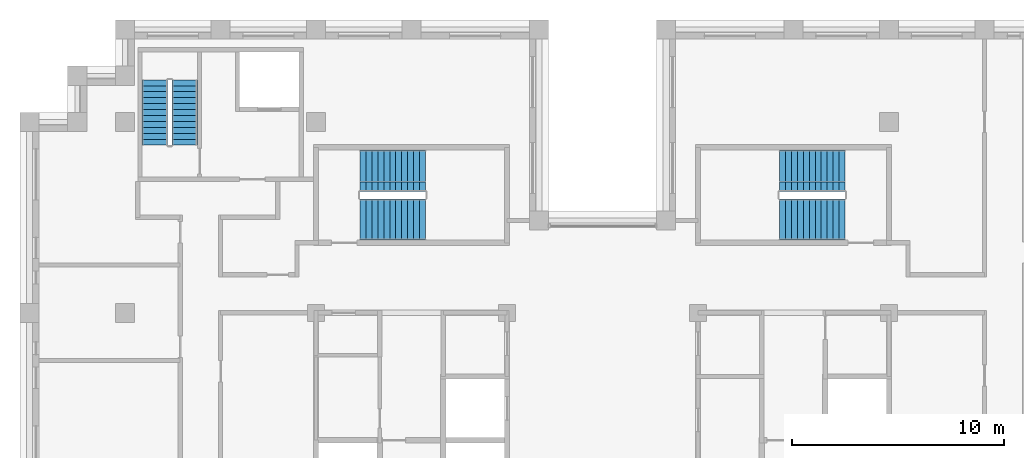
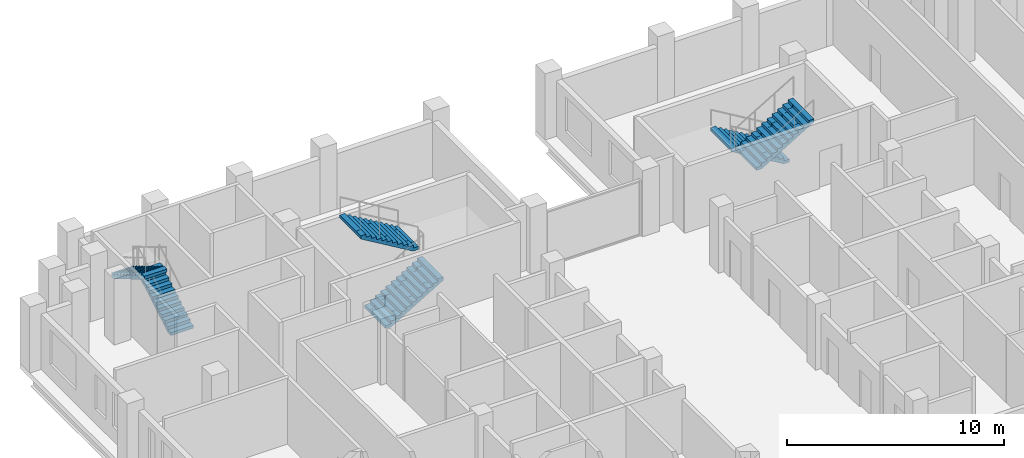
# One storey, part 12 of 13: 6 stair flights, 3 elements without a shape of their own.
"""IFC4 building model written with IfcOpenShell, lengths in metres."""

from ifc_helpers import new_model, si_unit, direction, frame, origin, place, context, subcontext, project, spatial, polyline, outline, extrude, material, type_object, element, aggregate, save


model = new_model("IFC4")

# Units and contexts
model_context = context("Model", 3, precision=1e-05, world=origin(), true_north=direction((0.0, 1.0)))
body_context = subcontext(model_context, "Body", "Model", "MODEL_VIEW")
ifc_project = project(units=[si_unit("LENGTHUNIT", "METRE"), si_unit("AREAUNIT", "SQUARE_METRE"), si_unit("VOLUMEUNIT", "CUBIC_METRE"), si_unit("PLANEANGLEUNIT", "RADIAN"), si_unit("MASSUNIT", "GRAM", prefix="KILO")], contexts=[model_context])

# Site, building, storey
site_placement = place(None, origin())
site = spatial("IfcSite", under=ifc_project, at=site_placement, CompositionType="ELEMENT")
building_placement = place(site_placement, origin())
building = spatial("IfcBuilding", under=site, at=building_placement, Name="Corbelhall Arena Tower", CompositionType="ELEMENT")
storey_placement = place(building_placement, frame((0.0, 0.0, 270.0)))
storey = spatial("IfcBuildingStorey", under=building, at=storey_placement, Name="L58", CompositionType="ELEMENT", Elevation=270.0)

# Stair, stair flights
ifc_material = material(Name="Concrete C40/50", Category="concrete")
stair_type = type_object("IfcStairType", Name="IN-ST-TOWER", PredefinedType="HALF_TURN_STAIR", material=ifc_material)
stair_1_placement = place(storey_placement, origin())
stair_1 = element("IfcStair", 1, at=stair_1_placement, inside=storey, type_object=stair_type, Name="L58 Exit stair ST1", PredefinedType="HALF_TURN_STAIR")
stair_flight_type = type_object("IfcStairFlightType", Name="IN-SFL-RC", PredefinedType="STRAIGHT", material=ifc_material)
stair_flight_1_placement = place(storey_placement, frame((-11.425048828125, 13.39990234375, 0.0), z_axis=(0.0, 0.0, 1.0), x_axis=(1.0, 0.0, 0.0)))
stair_flight_1 = element("IfcStairFlight", 2, at=stair_flight_1_placement, type_object=stair_flight_type, Name="ST1 flight 1", NumberOfRisers=12, NumberOfTreads=11, PredefinedType="STRAIGHT", RiserHeight=0.166666667, TreadLength=0.28, context=body_context, shape_type="SweptSolid", body=[
    extrude(outline(polyline([(0.0, 0.0), (0.0, 0.166748046875), (0.280029296875, 0.166748046875), (0.280029296875, 0.333251953125), (0.56005859375, 0.333251953125), (0.56005859375, 0.5), (0.840087890625, 0.5), (0.840087890625, 0.666748046875), (1.1201171875, 0.666748046875), (1.1201171875, 0.833251953125), (1.39990234375, 0.833251953125), (1.39990234375, 1.0), (1.679931640625, 1.0), (1.679931640625, 1.166748046875), (1.9599609375, 1.166748046875), (1.9599609375, 1.333251953125), (2.239990234375, 1.333251953125), (2.239990234375, 1.5), (2.52001953125, 1.5), (2.52001953125, 1.666748046875), (2.800048828125, 1.666748046875), (2.800048828125, 1.833251953125), (3.080078125, 1.833251953125), (3.080078125, 2.0), (3.080078125, 1.658935546875), (0.29296875, 0.0), (0.0, 0.0)])), frame((0.0, 0.97509765625, 0.0), z_axis=(0.0, -1.0, 0.0), x_axis=(1.0, 0.0, 0.0)), (0.0, 0.0, 1.0), 0.449951171875),
    extrude(outline(polyline([(0.0, 0.0), (0.0, 0.166748046875), (0.280029296875, 0.166748046875), (0.280029296875, 0.333251953125), (0.56005859375, 0.333251953125), (0.56005859375, 0.5), (0.840087890625, 0.5), (0.840087890625, 0.666748046875), (1.1201171875, 0.666748046875), (1.1201171875, 0.833251953125), (1.39990234375, 0.833251953125), (1.39990234375, 1.0), (1.679931640625, 1.0), (1.679931640625, 1.166748046875), (1.9599609375, 1.166748046875), (1.9599609375, 1.333251953125), (2.239990234375, 1.333251953125), (2.239990234375, 1.5), (2.52001953125, 1.5), (2.52001953125, 1.666748046875), (2.800048828125, 1.666748046875), (2.800048828125, 1.833251953125), (3.080078125, 1.833251953125), (3.080078125, 2.0), (3.080078125, 1.658935546875), (0.29296875, 0.0), (0.0, 0.0)])), frame((0.0, 0.52099609375, 0.0), z_axis=(0.0, -1.0, 0.0), x_axis=(1.0, 0.0, 0.0)), (0.0, 0.0, 1.0), 1.0419921875),
    extrude(outline(polyline([(0.0, 0.0), (0.0, 0.166748046875), (0.280029296875, 0.166748046875), (0.280029296875, 0.333251953125), (0.56005859375, 0.333251953125), (0.56005859375, 0.5), (0.840087890625, 0.5), (0.840087890625, 0.666748046875), (1.1201171875, 0.666748046875), (1.1201171875, 0.833251953125), (1.39990234375, 0.833251953125), (1.39990234375, 1.0), (1.679931640625, 1.0), (1.679931640625, 1.166748046875), (1.9599609375, 1.166748046875), (1.9599609375, 1.333251953125), (2.239990234375, 1.333251953125), (2.239990234375, 1.5), (2.52001953125, 1.5), (2.52001953125, 1.666748046875), (2.800048828125, 1.666748046875), (2.800048828125, 1.833251953125), (3.080078125, 1.833251953125), (3.080078125, 2.0), (3.080078125, 1.658935546875), (0.29296875, 0.0), (0.0, 0.0)])), frame((0.0, -0.52490234375, 0.0), z_axis=(0.0, -1.0, 0.0), x_axis=(1.0, 0.0, 0.0)), (0.0, 0.0, 1.0), 0.449951171875),
])
stair_flight_2_placement = place(storey_placement, frame((-8.344970703125, 15.699951171875, 2.0), z_axis=(0.0, 0.0, 1.0), x_axis=(-1.0, 0.0, 0.0)))
stair_flight_2 = element("IfcStairFlight", 3, at=stair_flight_2_placement, type_object=stair_flight_type, Name="ST1 flight 2", NumberOfRisers=12, NumberOfTreads=11, PredefinedType="STRAIGHT", RiserHeight=0.166666667, TreadLength=0.28, context=body_context, shape_type="SweptSolid", body=[
    extrude(outline(polyline([(0.0, 0.0), (0.0, 0.166748046875), (0.280029296875, 0.166748046875), (0.280029296875, 0.333251953125), (0.56005859375, 0.333251953125), (0.56005859375, 0.5), (0.840087890625, 0.5), (0.840087890625, 0.666748046875), (1.1201171875, 0.666748046875), (1.1201171875, 0.833251953125), (1.39990234375, 0.833251953125), (1.39990234375, 1.0), (1.679931640625, 1.0), (1.679931640625, 1.166748046875), (1.9599609375, 1.166748046875), (1.9599609375, 1.333251953125), (2.239990234375, 1.333251953125), (2.239990234375, 1.5), (2.52001953125, 1.5), (2.52001953125, 1.666748046875), (2.800048828125, 1.666748046875), (2.800048828125, 1.833251953125), (3.080078125, 1.833251953125), (3.080078125, 2.0), (3.080078125, 1.658935546875), (0.29296875, 0.0), (0.0, 0.0)])), frame((0.0, 0.97509765625, 0.0), z_axis=(0.0, -1.0, 0.0), x_axis=(1.0, 0.0, 0.0)), (0.0, 0.0, 1.0), 0.449951171875),
    extrude(outline(polyline([(0.0, 0.0), (0.0, 0.166748046875), (0.280029296875, 0.166748046875), (0.280029296875, 0.333251953125), (0.56005859375, 0.333251953125), (0.56005859375, 0.5), (0.840087890625, 0.5), (0.840087890625, 0.666748046875), (1.1201171875, 0.666748046875), (1.1201171875, 0.833251953125), (1.39990234375, 0.833251953125), (1.39990234375, 1.0), (1.679931640625, 1.0), (1.679931640625, 1.166748046875), (1.9599609375, 1.166748046875), (1.9599609375, 1.333251953125), (2.239990234375, 1.333251953125), (2.239990234375, 1.5), (2.52001953125, 1.5), (2.52001953125, 1.666748046875), (2.800048828125, 1.666748046875), (2.800048828125, 1.833251953125), (3.080078125, 1.833251953125), (3.080078125, 2.0), (3.080078125, 1.658935546875), (0.29296875, 0.0), (0.0, 0.0)])), frame((0.0, 0.52099609375, 0.0), z_axis=(0.0, -1.0, 0.0), x_axis=(1.0, 0.0, 0.0)), (0.0, 0.0, 1.0), 1.0419921875),
    extrude(outline(polyline([(0.0, 0.0), (0.0, 0.166748046875), (0.280029296875, 0.166748046875), (0.280029296875, 0.333251953125), (0.56005859375, 0.333251953125), (0.56005859375, 0.5), (0.840087890625, 0.5), (0.840087890625, 0.666748046875), (1.1201171875, 0.666748046875), (1.1201171875, 0.833251953125), (1.39990234375, 0.833251953125), (1.39990234375, 1.0), (1.679931640625, 1.0), (1.679931640625, 1.166748046875), (1.9599609375, 1.166748046875), (1.9599609375, 1.333251953125), (2.239990234375, 1.333251953125), (2.239990234375, 1.5), (2.52001953125, 1.5), (2.52001953125, 1.666748046875), (2.800048828125, 1.666748046875), (2.800048828125, 1.833251953125), (3.080078125, 1.833251953125), (3.080078125, 2.0), (3.080078125, 1.658935546875), (0.29296875, 0.0), (0.0, 0.0)])), frame((0.0, -0.52490234375, 0.0), z_axis=(0.0, -1.0, 0.0), x_axis=(1.0, 0.0, 0.0)), (0.0, 0.0, 1.0), 0.449951171875),
])
aggregate(stair_1, [stair_flight_1, stair_flight_2])

stair_2_placement = place(storey_placement, origin())
stair_2 = element("IfcStair", 4, at=stair_2_placement, inside=storey, type_object=stair_type, Name="L58 Exit stair ST3", PredefinedType="HALF_TURN_STAIR")
stair_flight_3_placement = place(storey_placement, frame((11.425048828125, 15.699951171875, 0.0), z_axis=(0.0, 0.0, 1.0), x_axis=(-1.0, 0.0, 0.0)))
stair_flight_3 = element("IfcStairFlight", 5, at=stair_flight_3_placement, type_object=stair_flight_type, Name="ST3 flight 1", NumberOfRisers=12, NumberOfTreads=11, PredefinedType="STRAIGHT", RiserHeight=0.166666667, TreadLength=0.28, context=body_context, shape_type="SweptSolid", body=[
    extrude(outline(polyline([(0.0, 0.0), (0.0, 0.166748046875), (0.280029296875, 0.166748046875), (0.280029296875, 0.333251953125), (0.56005859375, 0.333251953125), (0.56005859375, 0.5), (0.840087890625, 0.5), (0.840087890625, 0.666748046875), (1.1201171875, 0.666748046875), (1.1201171875, 0.833251953125), (1.39990234375, 0.833251953125), (1.39990234375, 1.0), (1.679931640625, 1.0), (1.679931640625, 1.166748046875), (1.9599609375, 1.166748046875), (1.9599609375, 1.333251953125), (2.239990234375, 1.333251953125), (2.239990234375, 1.5), (2.52001953125, 1.5), (2.52001953125, 1.666748046875), (2.800048828125, 1.666748046875), (2.800048828125, 1.833251953125), (3.080078125, 1.833251953125), (3.080078125, 2.0), (3.080078125, 1.658935546875), (0.29296875, 0.0), (0.0, 0.0)])), frame((0.0, 0.97509765625, 0.0), z_axis=(0.0, -1.0, 0.0), x_axis=(1.0, 0.0, 0.0)), (0.0, 0.0, 1.0), 0.449951171875),
    extrude(outline(polyline([(0.0, 0.0), (0.0, 0.166748046875), (0.280029296875, 0.166748046875), (0.280029296875, 0.333251953125), (0.56005859375, 0.333251953125), (0.56005859375, 0.5), (0.840087890625, 0.5), (0.840087890625, 0.666748046875), (1.1201171875, 0.666748046875), (1.1201171875, 0.833251953125), (1.39990234375, 0.833251953125), (1.39990234375, 1.0), (1.679931640625, 1.0), (1.679931640625, 1.166748046875), (1.9599609375, 1.166748046875), (1.9599609375, 1.333251953125), (2.239990234375, 1.333251953125), (2.239990234375, 1.5), (2.52001953125, 1.5), (2.52001953125, 1.666748046875), (2.800048828125, 1.666748046875), (2.800048828125, 1.833251953125), (3.080078125, 1.833251953125), (3.080078125, 2.0), (3.080078125, 1.658935546875), (0.29296875, 0.0), (0.0, 0.0)])), frame((0.0, 0.52099609375, 0.0), z_axis=(0.0, -1.0, 0.0), x_axis=(1.0, 0.0, 0.0)), (0.0, 0.0, 1.0), 1.0419921875),
    extrude(outline(polyline([(0.0, 0.0), (0.0, 0.166748046875), (0.280029296875, 0.166748046875), (0.280029296875, 0.333251953125), (0.56005859375, 0.333251953125), (0.56005859375, 0.5), (0.840087890625, 0.5), (0.840087890625, 0.666748046875), (1.1201171875, 0.666748046875), (1.1201171875, 0.833251953125), (1.39990234375, 0.833251953125), (1.39990234375, 1.0), (1.679931640625, 1.0), (1.679931640625, 1.166748046875), (1.9599609375, 1.166748046875), (1.9599609375, 1.333251953125), (2.239990234375, 1.333251953125), (2.239990234375, 1.5), (2.52001953125, 1.5), (2.52001953125, 1.666748046875), (2.800048828125, 1.666748046875), (2.800048828125, 1.833251953125), (3.080078125, 1.833251953125), (3.080078125, 2.0), (3.080078125, 1.658935546875), (0.29296875, 0.0), (0.0, 0.0)])), frame((0.0, -0.52490234375, 0.0), z_axis=(0.0, -1.0, 0.0), x_axis=(1.0, 0.0, 0.0)), (0.0, 0.0, 1.0), 0.449951171875),
])
stair_flight_4_placement = place(storey_placement, frame((8.344970703125, 13.39990234375, 2.0), z_axis=(0.0, 0.0, 1.0), x_axis=(1.0, 0.0, 0.0)))
stair_flight_4 = element("IfcStairFlight", 6, at=stair_flight_4_placement, type_object=stair_flight_type, Name="ST3 flight 2", NumberOfRisers=12, NumberOfTreads=11, PredefinedType="STRAIGHT", RiserHeight=0.166666667, TreadLength=0.28, context=body_context, shape_type="SweptSolid", body=[
    extrude(outline(polyline([(0.0, 0.0), (0.0, 0.166748046875), (0.280029296875, 0.166748046875), (0.280029296875, 0.333251953125), (0.56005859375, 0.333251953125), (0.56005859375, 0.5), (0.840087890625, 0.5), (0.840087890625, 0.666748046875), (1.1201171875, 0.666748046875), (1.1201171875, 0.833251953125), (1.39990234375, 0.833251953125), (1.39990234375, 1.0), (1.679931640625, 1.0), (1.679931640625, 1.166748046875), (1.9599609375, 1.166748046875), (1.9599609375, 1.333251953125), (2.239990234375, 1.333251953125), (2.239990234375, 1.5), (2.52001953125, 1.5), (2.52001953125, 1.666748046875), (2.800048828125, 1.666748046875), (2.800048828125, 1.833251953125), (3.080078125, 1.833251953125), (3.080078125, 2.0), (3.080078125, 1.658935546875), (0.29296875, 0.0), (0.0, 0.0)])), frame((0.0, 0.97509765625, 0.0), z_axis=(0.0, -1.0, 0.0), x_axis=(1.0, 0.0, 0.0)), (0.0, 0.0, 1.0), 0.449951171875),
    extrude(outline(polyline([(0.0, 0.0), (0.0, 0.166748046875), (0.280029296875, 0.166748046875), (0.280029296875, 0.333251953125), (0.56005859375, 0.333251953125), (0.56005859375, 0.5), (0.840087890625, 0.5), (0.840087890625, 0.666748046875), (1.1201171875, 0.666748046875), (1.1201171875, 0.833251953125), (1.39990234375, 0.833251953125), (1.39990234375, 1.0), (1.679931640625, 1.0), (1.679931640625, 1.166748046875), (1.9599609375, 1.166748046875), (1.9599609375, 1.333251953125), (2.239990234375, 1.333251953125), (2.239990234375, 1.5), (2.52001953125, 1.5), (2.52001953125, 1.666748046875), (2.800048828125, 1.666748046875), (2.800048828125, 1.833251953125), (3.080078125, 1.833251953125), (3.080078125, 2.0), (3.080078125, 1.658935546875), (0.29296875, 0.0), (0.0, 0.0)])), frame((0.0, 0.52099609375, 0.0), z_axis=(0.0, -1.0, 0.0), x_axis=(1.0, 0.0, 0.0)), (0.0, 0.0, 1.0), 1.0419921875),
    extrude(outline(polyline([(0.0, 0.0), (0.0, 0.166748046875), (0.280029296875, 0.166748046875), (0.280029296875, 0.333251953125), (0.56005859375, 0.333251953125), (0.56005859375, 0.5), (0.840087890625, 0.5), (0.840087890625, 0.666748046875), (1.1201171875, 0.666748046875), (1.1201171875, 0.833251953125), (1.39990234375, 0.833251953125), (1.39990234375, 1.0), (1.679931640625, 1.0), (1.679931640625, 1.166748046875), (1.9599609375, 1.166748046875), (1.9599609375, 1.333251953125), (2.239990234375, 1.333251953125), (2.239990234375, 1.5), (2.52001953125, 1.5), (2.52001953125, 1.666748046875), (2.800048828125, 1.666748046875), (2.800048828125, 1.833251953125), (3.080078125, 1.833251953125), (3.080078125, 2.0), (3.080078125, 1.658935546875), (0.29296875, 0.0), (0.0, 0.0)])), frame((0.0, -0.52490234375, 0.0), z_axis=(0.0, -1.0, 0.0), x_axis=(1.0, 0.0, 0.0)), (0.0, 0.0, 1.0), 0.449951171875),
])
aggregate(stair_2, [stair_flight_3, stair_flight_4])

stair_3_placement = place(storey_placement, origin())
stair_3 = element("IfcStair", 7, at=stair_3_placement, inside=storey, type_object=stair_type, Name="L58 Exit stair ST5", PredefinedType="HALF_TURN_STAIR")
stair_flight_5_placement = place(storey_placement, frame((-19.695068359375, 16.89990234375, 0.0), z_axis=(0.0, 0.0, 1.0), x_axis=(0.0, 1.0, 0.0)))
stair_flight_5 = element("IfcStairFlight", 8, at=stair_flight_5_placement, type_object=stair_flight_type, Name="ST5 flight 1", NumberOfRisers=12, NumberOfTreads=11, PredefinedType="STRAIGHT", RiserHeight=0.166666667, TreadLength=0.28, context=body_context, shape_type="SweptSolid", body=[
    extrude(outline(polyline([(0.0, 0.0), (0.0, 0.166748046875), (0.280029296875, 0.166748046875), (0.280029296875, 0.333251953125), (0.56005859375, 0.333251953125), (0.56005859375, 0.5), (0.840087890625, 0.5), (0.840087890625, 0.666748046875), (1.1201171875, 0.666748046875), (1.1201171875, 0.833251953125), (1.39990234375, 0.833251953125), (1.39990234375, 1.0), (1.679931640625, 1.0), (1.679931640625, 1.166748046875), (1.9599609375, 1.166748046875), (1.9599609375, 1.333251953125), (2.239990234375, 1.333251953125), (2.239990234375, 1.5), (2.52001953125, 1.5), (2.52001953125, 1.666748046875), (2.800048828125, 1.666748046875), (2.800048828125, 1.833251953125), (3.080078125, 1.833251953125), (3.080078125, 2.0), (3.080078125, 1.658935546875), (0.29296875, 0.0), (0.0, 0.0)])), frame((0.0, 0.60009765625, 0.0), z_axis=(0.0, -1.0, 0.0), x_axis=(1.0, 0.0, 0.0)), (0.0, 0.0, 1.0), 1.199951171875),
])
stair_flight_6_placement = place(storey_placement, frame((-21.094970703125, 19.97998046875, 2.0), z_axis=(0.0, 0.0, 1.0), x_axis=(0.0, -1.0, 0.0)))
stair_flight_6 = element("IfcStairFlight", 9, at=stair_flight_6_placement, type_object=stair_flight_type, Name="ST5 flight 2", NumberOfRisers=12, NumberOfTreads=11, PredefinedType="STRAIGHT", RiserHeight=0.166666667, TreadLength=0.28, context=body_context, shape_type="SweptSolid", body=[
    extrude(outline(polyline([(0.0, 0.0), (0.0, 0.166748046875), (0.280029296875, 0.166748046875), (0.280029296875, 0.333251953125), (0.56005859375, 0.333251953125), (0.56005859375, 0.5), (0.840087890625, 0.5), (0.840087890625, 0.666748046875), (1.1201171875, 0.666748046875), (1.1201171875, 0.833251953125), (1.39990234375, 0.833251953125), (1.39990234375, 1.0), (1.679931640625, 1.0), (1.679931640625, 1.166748046875), (1.9599609375, 1.166748046875), (1.9599609375, 1.333251953125), (2.239990234375, 1.333251953125), (2.239990234375, 1.5), (2.52001953125, 1.5), (2.52001953125, 1.666748046875), (2.800048828125, 1.666748046875), (2.800048828125, 1.833251953125), (3.080078125, 1.833251953125), (3.080078125, 2.0), (3.080078125, 1.658935546875), (0.29296875, 0.0), (0.0, 0.0)])), frame((0.0, 0.60009765625, 0.0), z_axis=(0.0, -1.0, 0.0), x_axis=(1.0, 0.0, 0.0)), (0.0, 0.0, 1.0), 1.199951171875),
])
aggregate(stair_3, [stair_flight_5, stair_flight_6])

save(model, "model.ifc")
